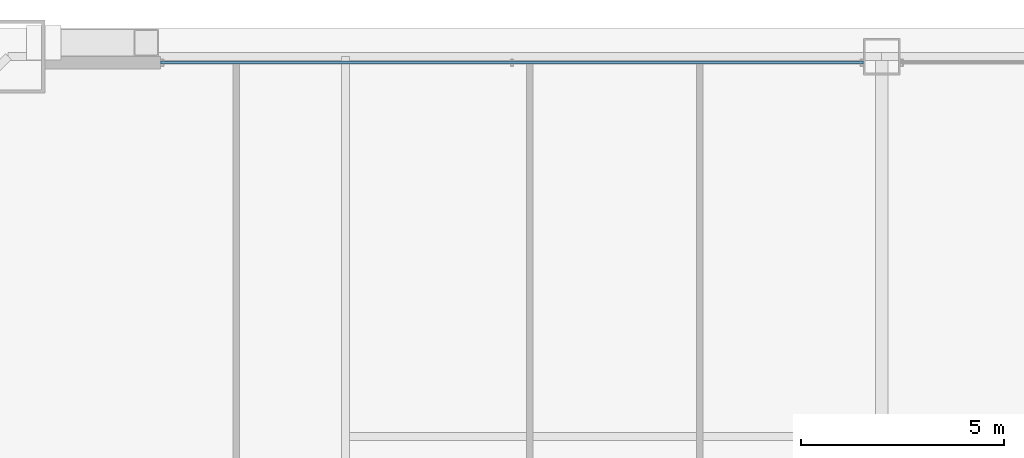
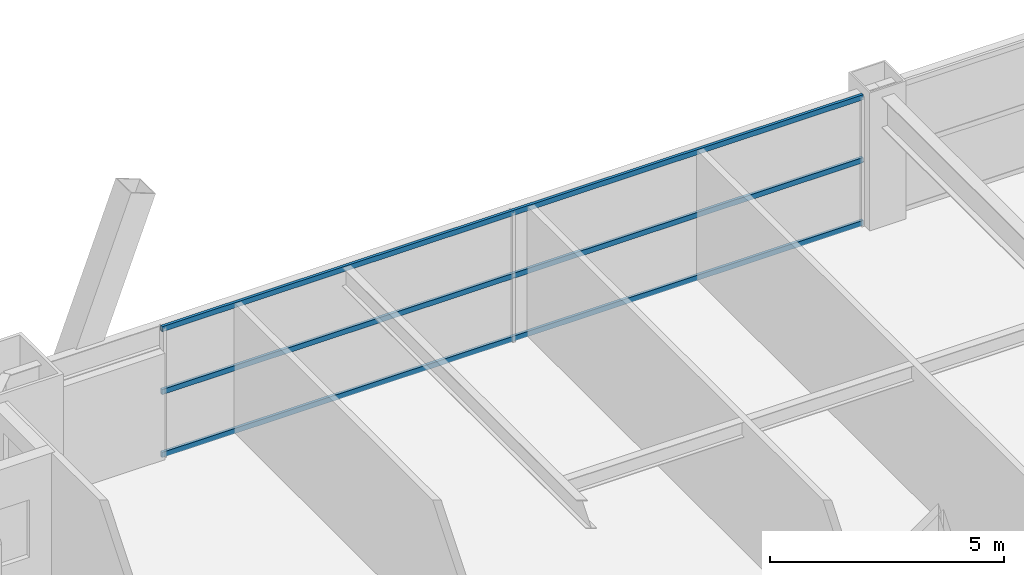
# One storey, part 29 of 43: 3 members, 1 element without a shape of its own.
"""IFC4 building model written with IfcOpenShell, lengths in metres."""

from ifc_helpers import new_model, si_unit, direction, frame, origin, origin_2d, place, context, subcontext, project, spatial, hollow_rectangle, extrude, source, transform, mapped, material, layer, layer_set, material_profile, profile_set, type_object, element, aggregate, save


model = new_model("IFC4")

# Units and contexts
model_context = context("Model", 3, precision=1e-05, world=origin(), true_north=direction((0.0, 1.0)))
body_context = subcontext(model_context, "Body", "Model", "MODEL_VIEW")
ifc_project = project(units=[si_unit("LENGTHUNIT", "METRE"), si_unit("AREAUNIT", "SQUARE_METRE"), si_unit("VOLUMEUNIT", "CUBIC_METRE"), si_unit("PLANEANGLEUNIT", "RADIAN"), si_unit("MASSUNIT", "GRAM", prefix="KILO"), si_unit("THERMODYNAMICTEMPERATUREUNIT", "KELVIN"), si_unit("POWERUNIT", "WATT")], contexts=[model_context])

# Site, building, storey
site_placement = place(None, origin())
site = spatial("IfcSite", under=ifc_project, at=site_placement, CompositionType="ELEMENT")
building_placement = place(site_placement, origin())
building = spatial("IfcBuilding", under=site, at=building_placement, Name="Yuzanri Waterfront Tower", CompositionType="ELEMENT")
storey_placement = place(building_placement, frame((0.0, 0.0, 46.0)))
storey = spatial("IfcBuildingStorey", under=building, at=storey_placement, Name="L11", CompositionType="ELEMENT", Elevation=46.0)

# Curtain wall, members
ifc_material_1 = material(Name="Anodized Architectural Bronze", Category="metal")
ifc_layer = layer(ifc_material_1, 0.159912109375)
ifc_layer_set = layer_set([ifc_layer], Name="Anodized Architectural Bronze")
curtain_wall_type = type_object("IfcCurtainWallType", Name="Anodized Bronze Hotel Lower-Tier Recessed Unitized Curtain Wall 8100", PredefinedType="NOTDEFINED", material=ifc_layer_set)
curtain_wall_placement = place(storey_placement, origin())
curtain_wall = element("IfcCurtainWall", 1, at=curtain_wall_placement, inside=storey, type_object=curtain_wall_type, Name="L11 Curtain Wall CW-L11-NL", PredefinedType="NOTDEFINED")
ifc_material_2 = material(Name="Anodized Architectural Bronze", Category="metal")
ifc_material_profile = material_profile(ifc_material_2, hollow_rectangle(XDim=0.070068359375, YDim=0.135009765625, WallThickness=0.00341796875, at=origin_2d()), Name="CWT 70x135")
ifc_profile_set = profile_set([ifc_material_profile], Name="Anodized Architectural Bronze")
member_type = type_object("IfcMemberType", Name="Anodized Bronze Standard Curtain-Wall Transom 70x135", PredefinedType="USERDEFINED", material=ifc_profile_set)
shared_shape = source(origin(), body_context, "Body", "SweptSolid", [
    extrude(hollow_rectangle(XDim=0.070068359375, YDim=0.135009765625, WallThickness=0.00341796875, at=origin_2d()), origin(), (0.0, 0.0, 1.0), 17.300048828125),
])
member_1_placement = place(storey_placement, frame((19.25, 50.75, 0.050048828125), z_axis=(1.0, 0.0, 0.0), x_axis=(0.0, 1.0, 0.0)))
member_1 = element("IfcMember", 2, at=member_1_placement, type_object=member_type, Name="CW-L11-NL Transom 1", ObjectType="TRANSOM", PredefinedType="USERDEFINED", context=body_context, shape_type="MappedRepresentation", body=[
    mapped(shared_shape, transform((0.0, 0.0, 0.0), scale=1.0)),
])
member_2_placement = place(storey_placement, frame((19.25, 50.75, 1.68994140625), z_axis=(1.0, 0.0, 0.0), x_axis=(0.0, 1.0, 0.0)))
member_2 = element("IfcMember", 3, at=member_2_placement, type_object=member_type, Name="CW-L11-NL Transom 2", ObjectType="TRANSOM", PredefinedType="USERDEFINED", context=body_context, shape_type="MappedRepresentation", body=[
    mapped(shared_shape, transform((0.0, 0.0, 0.0), scale=1.0)),
])
member_3_placement = place(storey_placement, frame((19.25, 50.75, 3.330078125), z_axis=(1.0, 0.0, 0.0), x_axis=(0.0, 1.0, 0.0)))
member_3 = element("IfcMember", 4, at=member_3_placement, type_object=member_type, Name="CW-L11-NL Transom 3", ObjectType="TRANSOM", PredefinedType="USERDEFINED", context=body_context, shape_type="MappedRepresentation", body=[
    mapped(shared_shape, transform((0.0, 0.0, 0.0), scale=1.0)),
])
aggregate(curtain_wall, [member_1, member_2, member_3])

save(model, "model.ifc")
